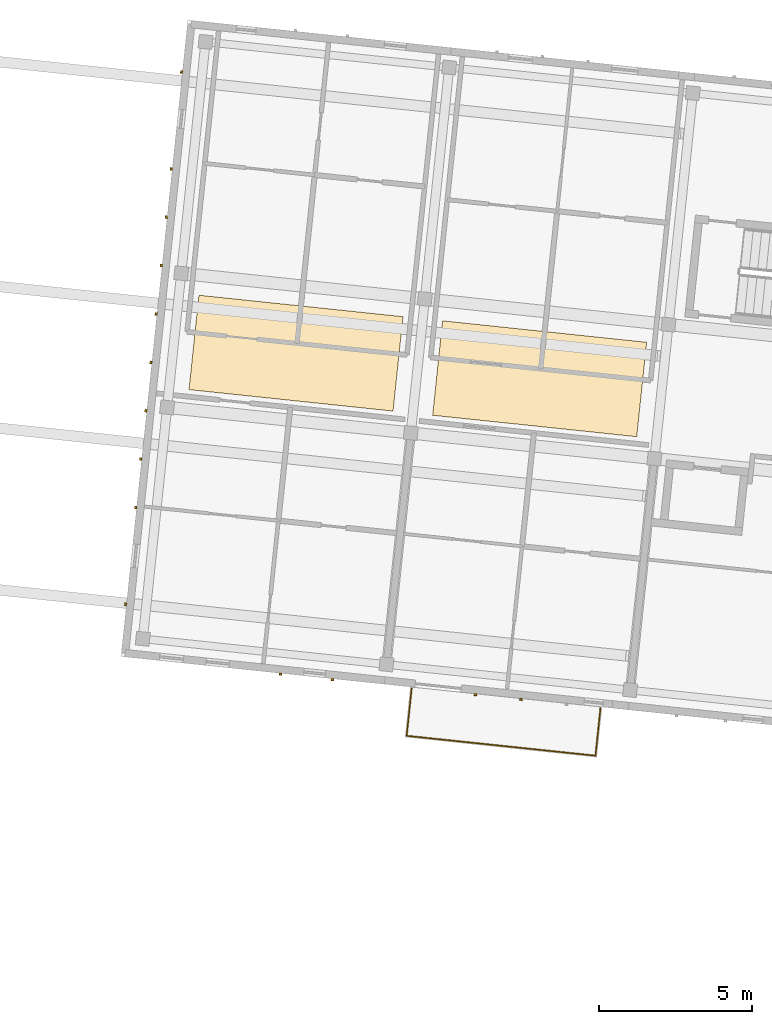
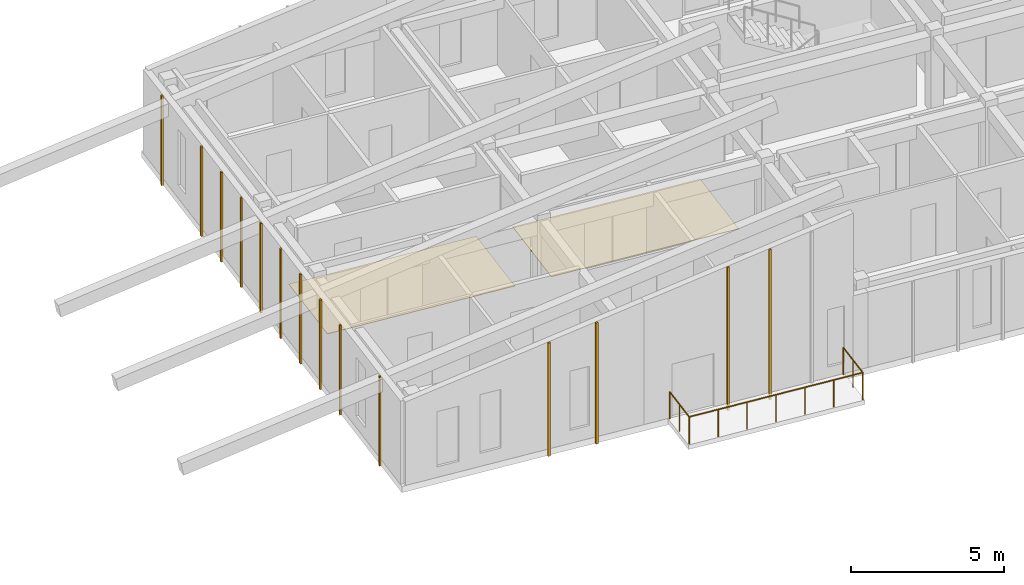
# One storey, part 29 of 34: 16 coverings, 1 railing.
"""IFC4 building model written with IfcOpenShell, lengths in metres."""

from ifc_helpers import new_model, si_unit, direction, frame, origin, origin_2d, place, context, subcontext, project, spatial, polyline, rectangle, circle, outline, extrude, material, layer, layer_set, type_object, element, save


model = new_model("IFC4")

# Units and contexts
model_context = context("Model", 3, precision=1e-05, world=origin(), true_north=direction((0.0, 1.0)))
body_context = subcontext(model_context, "Body", "Model", "MODEL_VIEW")
ifc_project = project(units=[si_unit("LENGTHUNIT", "METRE"), si_unit("AREAUNIT", "SQUARE_METRE"), si_unit("VOLUMEUNIT", "CUBIC_METRE"), si_unit("PLANEANGLEUNIT", "RADIAN"), si_unit("MASSUNIT", "GRAM", prefix="KILO")], contexts=[model_context])

# Site, building, storey
site_placement = place(None, origin())
site = spatial("IfcSite", under=ifc_project, at=site_placement, CompositionType="ELEMENT")
building_placement = place(site_placement, origin())
building = spatial("IfcBuilding", under=site, at=building_placement, Name="Kestramere Prow Commons", CompositionType="ELEMENT")
storey_placement = place(building_placement, frame((0.0, 0.0, 34.39990234375)))
storey = spatial("IfcBuildingStorey", under=building, at=storey_placement, Name="L10", CompositionType="ELEMENT", Elevation=34.39990234375)

# Coverings
ifc_material_1 = material(Name="Weathered Zinc-Titanium Standing-Seam Cladding")
ifc_layer_1 = layer(ifc_material_1, 0.074951171875)
ifc_layer_set_1 = layer_set([ifc_layer_1], Name="Weathered Zinc-Titanium Standing-Seam Cladding")
covering_type_1 = type_object("IfcCoveringType", Name="COV-CLAD-SEAM", PredefinedType="CLADDING", material=ifc_layer_set_1)
covering_1_placement = place(storey_placement, frame((124.145751953125, 92.632080078125, -0.25), z_axis=(0.0, 0.0, 1.0), x_axis=(-0.994521895368, 0.104528463268, 0.0)))
element("IfcCovering", 1, at=covering_1_placement, inside=storey, type_object=covering_type_1, Name="EW-B-L10-S-1 Standing-Seam Rib 1", PredefinedType="CLADDING", context=body_context, shape_type="SweptSolid", body=[
    extrude(rectangle(XDim=0.0849609375, YDim=0.06494140625, at=origin_2d()), origin(), (0.0, 0.0, 1.0), 4.834228515625),
])
covering_2_placement = place(storey_placement, frame((122.4501953125, 92.810302734375, -0.25), z_axis=(0.0, 0.0, 1.0), x_axis=(-0.994521895368, 0.104528463268, 0.0)))
element("IfcCovering", 2, at=covering_2_placement, inside=storey, type_object=covering_type_1, Name="EW-B-L10-S-1 Standing-Seam Rib 2", PredefinedType="CLADDING", context=body_context, shape_type="SweptSolid", body=[
    extrude(rectangle(XDim=0.0849609375, YDim=0.06494140625, at=origin_2d()), origin(), (0.0, 0.0, 1.0), 4.517822265625),
])
covering_3_placement = place(storey_placement, frame((130.302001953125, 91.98486328125, -0.25), z_axis=(0.0, 0.0, 1.0), x_axis=(-0.994521895368, 0.104528463268, 0.0)))
element("IfcCovering", 3, at=covering_3_placement, inside=storey, type_object=covering_type_1, Name="EW-B-L10-S-2 Standing-Seam Rib 2", PredefinedType="CLADDING", context=body_context, shape_type="SweptSolid", body=[
    extrude(rectangle(XDim=0.0849609375, YDim=0.06494140625, at=origin_2d()), origin(), (0.0, 0.0, 1.0), 5.98291015625),
])
covering_4_placement = place(storey_placement, frame((128.815185546875, 92.14111328125, -0.25), z_axis=(0.0, 0.0, 1.0), x_axis=(-0.994521895368, 0.104528463268, 0.0)))
element("IfcCovering", 4, at=covering_4_placement, inside=storey, type_object=covering_type_1, Name="EW-B-L10-S-2 Standing-Seam Rib 3", PredefinedType="CLADDING", context=body_context, shape_type="SweptSolid", body=[
    extrude(rectangle(XDim=0.0849609375, YDim=0.06494140625, at=origin_2d()), origin(), (0.0, 0.0, 1.0), 5.705322265625),
])
for number, where, z_axis, x_axis, name in (
    (5, (117.3935546875, 95.09228515625, -0.25), (0.0, 0.0, 1.0), (0.104528463268, 0.994521895368, 0.0), "EW-B-L10-EAV Standing-Seam Rib 1"),
    (6, (117.7255859375, 98.251708984375, -0.25), (0.0, 0.0, 1.0), (0.104528463268, 0.994521895368, 0.0), "EW-B-L10-EAV Standing-Seam Rib 3"),
    (7, (117.8916015625, 99.83154296875, -0.25), (0.0, 0.0, 1.0), (0.104528463268, 0.994521895368, 0.0), "EW-B-L10-EAV Standing-Seam Rib 4"),
    (8, (118.0576171875, 101.411376953125, -0.25), (0.0, 0.0, 1.0), (0.104528463268, 0.994521895368, 0.0), "EW-B-L10-EAV Standing-Seam Rib 5"),
    (9, (118.2236328125, 102.990966796875, -0.25), (0.0, 0.0, 1.0), (0.104528463268, 0.994521895368, 0.0), "EW-B-L10-EAV Standing-Seam Rib 6"),
    (10, (118.389892578125, 104.57080078125, -0.25), (0.0, 0.0, 1.0), (0.104528463268, 0.994521895368, 0.0), "EW-B-L10-EAV Standing-Seam Rib 7"),
    (11, (118.555908203125, 106.150634765625, -0.25), (0.0, 0.0, 1.0), (0.104528463268, 0.994521895368, 0.0), "EW-B-L10-EAV Standing-Seam Rib 8"),
    (12, (118.721923828125, 107.730224609375, -0.25), (0.0, 0.0, 1.0), (0.104528463268, 0.994521895368, 0.0), "EW-B-L10-EAV Standing-Seam Rib 9"),
    (13, (118.887939453125, 109.31005859375, -0.25), (0.0, 0.0, 1.0), (0.104528463268, 0.994521895368, 0.0), "EW-B-L10-EAV Standing-Seam Rib 10"),
    (14, (119.219970703125, 112.469482421875, -0.25), (0.0, 0.0, 1.0), (0.104528463268, 0.994521895368, 0.0), "EW-B-L10-EAV Standing-Seam Rib 12"),
):
    element("IfcCovering", number, at=place(storey_placement, frame(where, z_axis=z_axis, x_axis=x_axis)), inside=storey, type_object=covering_type_1, Name=name, PredefinedType="CLADDING", context=body_context, shape_type="SweptSolid", body=[
        extrude(rectangle(XDim=0.0849609375, YDim=0.06494140625, at=origin_2d()), origin(), (0.0, 0.0, 1.0), 3.56884765625),
    ])
ifc_material_2 = material(Name="Honed Cementitious Terrazzo Tile")
ifc_layer_2 = layer(ifc_material_2, 0.02001953125)
ifc_layer_set_2 = layer_set([ifc_layer_2], Name="Honed Cementitious Terrazzo Tile")
covering_type_2 = type_object("IfcCoveringType", Name="COV-FLOOR-TERRAZZO", PredefinedType="FLOORING", material=ifc_layer_set_2)
covering_5_placement = place(storey_placement, origin())
element("IfcCovering", 15, at=covering_5_placement, inside=storey, type_object=covering_type_2, Name="Block B L10 Corridor Terrazzo Flooring 2", PredefinedType="FLOORING", context=body_context, shape_type="SweptSolid", body=[
    extrude(outline(polyline([(119.465087890625, 102.1005859375), (126.128173828125, 101.400390625), (126.452392578125, 104.4833984375), (119.7890625, 105.18359375), (119.465087890625, 102.1005859375)])), origin(), (0.0, 0.0, 1.0), 0.02001953125),
])
covering_6_placement = place(storey_placement, origin())
element("IfcCovering", 16, at=covering_6_placement, inside=storey, type_object=covering_type_2, Name="Block B L10 Corridor Terrazzo Flooring 3", PredefinedType="FLOORING", context=body_context, shape_type="SweptSolid", body=[
    extrude(outline(polyline([(127.421142578125, 101.264404296875), (134.08447265625, 100.56396484375), (134.408447265625, 103.64697265625), (127.7451171875, 104.347412109375), (127.421142578125, 101.264404296875)])), origin(), (0.0, 0.0, 1.0), 0.02001953125),
])

# Railing
ifc_material_3 = material(Name="Powder-Coated Aluminium 6063-T6", Category="aluminium")
railing_type = type_object("IfcRailingType", Name="GRD-BALC-1100", PredefinedType="BALUSTRADE", material=ifc_material_3)
railing_placement = place(storey_placement, frame((126.7353515625, 92.34716796875, 0.0)))
element("IfcRailing", 17, at=railing_placement, inside=storey, type_object=railing_type, Name="Block B L10 Balcony Guardrail 3", PredefinedType="BALUSTRADE", context=body_context, shape_type="SweptSolid", body=[
    extrude(circle(Radius=0.02392578125, at=origin_2d()), frame((0.0, 0.0, 1.076171875), z_axis=(-0.104554422924, -0.994519166556, 0.0), x_axis=(0.994519166556, -0.104554422924, 0.0)), (0.0, 0.0, 1.0), 1.559814453125),
    extrude(circle(Radius=0.02392578125, at=origin_2d()), frame((-0.1630859375, -1.55126953125, 1.076171875), z_axis=(0.994519899862, -0.104547447503, 0.0), x_axis=(0.104547447503, 0.994519899862, 0.0)), (0.0, 0.0, 1.0), 6.199951171875),
    extrude(circle(Radius=0.02392578125, at=origin_2d()), frame((6.0029296875, -2.199462890625, 1.076171875), z_axis=(0.104538150424, 0.994520877159, 0.0), x_axis=(-0.994520877159, 0.104538150424, 0.0)), (0.0, 0.0, 1.0), 1.56005859375),
    extrude(circle(Radius=0.02099609375, at=origin_2d()), origin(), (0.0, 0.0, 1.0), 1.052001953125),
    extrude(circle(Radius=0.02099609375, at=origin_2d()), frame((-0.08154296875, -0.775634765625, 0.0)), (0.0, 0.0, 1.0), 1.052001953125),
    extrude(circle(Radius=0.02099609375, at=origin_2d()), frame((-0.1630859375, -1.55126953125, 0.0)), (0.0, 0.0, 1.0), 1.052001953125),
    extrude(circle(Radius=0.02099609375, at=origin_2d()), frame((0.864501953125, -1.6591796875, 0.0)), (0.0, 0.0, 1.0), 1.052001953125),
    extrude(circle(Radius=0.02099609375, at=origin_2d()), frame((1.892333984375, -1.767333984375, 0.0)), (0.0, 0.0, 1.0), 1.052001953125),
    extrude(circle(Radius=0.02099609375, at=origin_2d()), frame((2.919921875, -1.87548828125, 0.0)), (0.0, 0.0, 1.0), 1.052001953125),
    extrude(circle(Radius=0.02099609375, at=origin_2d()), frame((3.947509765625, -1.9833984375, 0.0)), (0.0, 0.0, 1.0), 1.052001953125),
    extrude(circle(Radius=0.02099609375, at=origin_2d()), frame((4.975341796875, -2.09130859375, 0.0)), (0.0, 0.0, 1.0), 1.052001953125),
    extrude(circle(Radius=0.02099609375, at=origin_2d()), frame((6.0029296875, -2.199462890625, 0.0)), (0.0, 0.0, 1.0), 1.052001953125),
    extrude(circle(Radius=0.02099609375, at=origin_2d()), frame((6.08447265625, -1.423828125, 0.0)), (0.0, 0.0, 1.0), 1.052001953125),
    extrude(circle(Radius=0.02099609375, at=origin_2d()), frame((6.166015625, -0.64794921875, 0.0)), (0.0, 0.0, 1.0), 1.052001953125),
])

save(model, "model.ifc")
